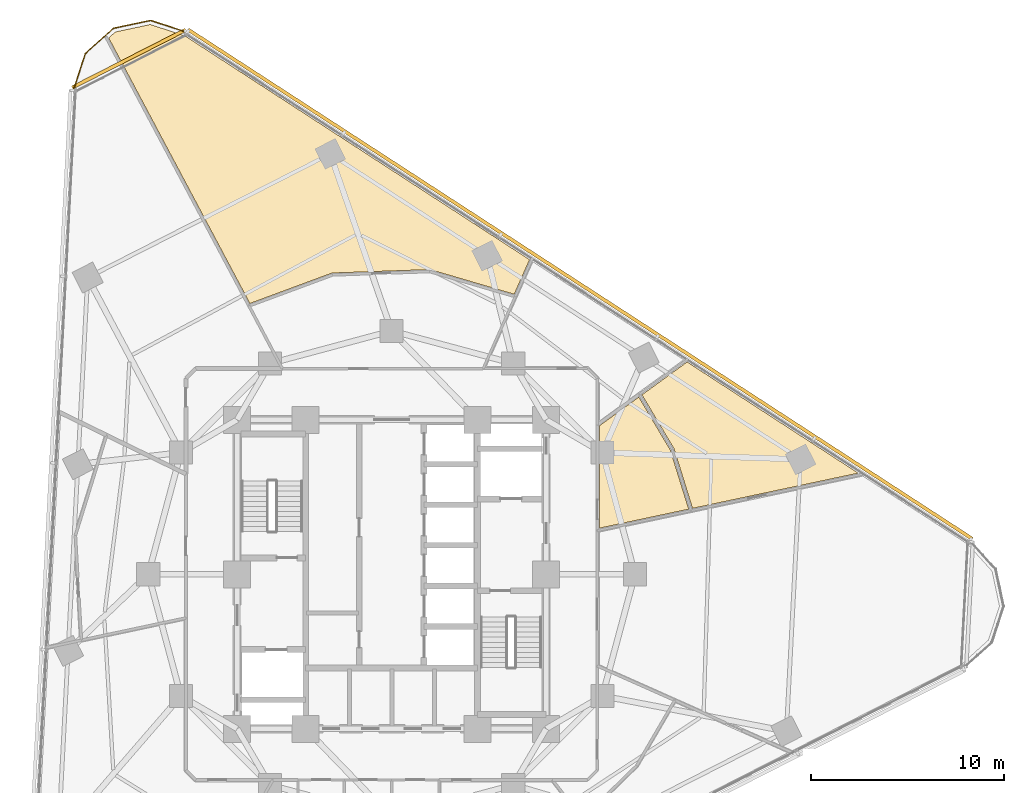
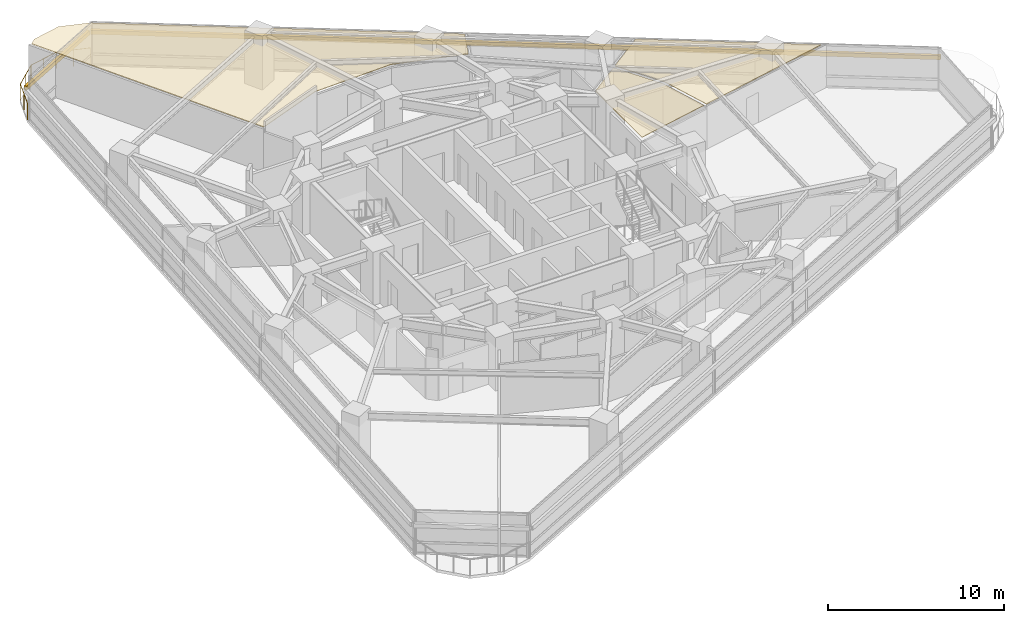
# One storey, part 14 of 14: 3 coverings, 2 shading devices, 1 railing.
"""IFC4 building model written with IfcOpenShell, lengths in metres."""

from ifc_helpers import new_model, si_unit, direction, frame, origin, origin_2d, place, context, subcontext, project, spatial, polyline, rectangle, circle, outline, extrude, material, layer, layer_set, type_object, element, save


model = new_model("IFC4")

# Units and contexts
model_context = context("Model", 3, precision=1e-05, world=origin(), true_north=direction((0.0, 1.0)))
body_context = subcontext(model_context, "Body", "Model", "MODEL_VIEW")
ifc_project = project(units=[si_unit("LENGTHUNIT", "METRE"), si_unit("AREAUNIT", "SQUARE_METRE"), si_unit("VOLUMEUNIT", "CUBIC_METRE"), si_unit("PLANEANGLEUNIT", "RADIAN"), si_unit("MASSUNIT", "GRAM", prefix="KILO")], contexts=[model_context])

# Site, building, storey
site_placement = place(None, origin())
site = spatial("IfcSite", under=ifc_project, at=site_placement, CompositionType="ELEMENT")
building_placement = place(site_placement, origin())
building = spatial("IfcBuilding", under=site, at=building_placement, Name="Terralouvre Media Tower", CompositionType="ELEMENT")
storey_placement = place(building_placement, frame((0.0, 0.0, 142.10009765625)))
storey = spatial("IfcBuildingStorey", under=building, at=storey_placement, Name="L36", CompositionType="ELEMENT", Elevation=142.10009765625)

# Coverings
ifc_material_1 = material(Name="Perforated aluminium acoustic ceiling baffle", Category="aluminium")
ifc_layer_1 = layer(ifc_material_1, 0.0400390625, Name="Perforated Acoustic Metal Tile Ceiling CL-AC1")
ifc_layer_set_1 = layer_set([ifc_layer_1], Name="Perforated aluminium acoustic ceiling baffle")
covering_type = type_object("IfcCoveringType", Name="Perforated Acoustic Metal Tile Ceiling CL-AC1", PredefinedType="CEILING", material=ifc_layer_set_1)
covering_1_placement = place(storey_placement, frame((0.0, 0.0, 2.97998046875), z_axis=(0.0, 0.0, 1.0), x_axis=(0.891006524188, 0.45399049974, 0.0)))
element("IfcCovering", 1, at=covering_1_placement, inside=storey, type_object=covering_type, Name="L36 Editorial Huddle Room 8 Acoustic Ceiling", PredefinedType="CEILING", context=body_context, shape_type="SweptSolid", body=[
    extrude(outline(polyline([(15.9775390625, -0.825439453125), (15.977783203125, -0.83740234375), (15.976318359375, -0.848876953125), (15.43017578125, -4.03076171875), (23.905517578125, -6.30224609375), (18.623046875, 2.848388671875), (15.766845703125, 2.395751953125), (15.9775390625, -0.825439453125)])), origin(), (0.0, 0.0, 1.0), 0.0400390625),
])
covering_2_placement = place(storey_placement, frame((0.0, 0.0, 2.97998046875), z_axis=(0.0, 0.0, 1.0), x_axis=(0.891006524188, 0.45399049974, 0.0)))
element("IfcCovering", 2, at=covering_2_placement, inside=storey, type_object=covering_type, Name="L36 Live Feed Master Control Room 9 Acoustic Ceiling", PredefinedType="CEILING", context=body_context, shape_type="SweptSolid", body=[
    extrude(outline(polyline([(15.77734375, -0.826904296875), (15.568359375, 2.364501953125), (13.068115234375, 1.96875), (10.662109375, -2.753173828125), (15.236328125, -3.978759765625), (15.77734375, -0.826904296875)])), origin(), (0.0, 0.0, 1.0), 0.0400390625),
])
covering_3_placement = place(storey_placement, frame((0.0, 0.0, 2.97998046875), z_axis=(0.0, 0.0, 1.0), x_axis=(0.891006524188, 0.45399049974, 0.0)))
element("IfcCovering", 3, at=covering_3_placement, inside=storey, type_object=covering_type, Name="L36 Anchor Green Lounge 12 Acoustic Ceiling", PredefinedType="CEILING", context=body_context, shape_type="SweptSolid", body=[
    extrude(outline(polyline([(4.322509765625, 15.300048828125), (4.3330078125, 15.298095703125), (4.34326171875, 15.29541015625), (4.35302734375, 15.291259765625), (8.91552734375, 13.1640625), (8.925048828125, 13.1591796875), (8.933837890625, 13.153076171875), (8.94189453125, 13.146240234375), (12.23681640625, 10.037353515625), (13.759765625, 11.271240234375), (3.11474609375, 29.708984375), (1.7861328125, 31.03759765625), (-0.000244140625, 31.515869140625), (-0.4482421875, 31.396484375), (-0.176025390625, 15.825927734375), (4.322509765625, 15.300048828125)])), origin(), (0.0, 0.0, 1.0), 0.0400390625),
])

# Railing
ifc_material_2 = material(Name="Stainless steel 316 handrail and balustrade", Category="steel")
ifc_layer_2 = layer(ifc_material_2, 0.06005859375, Name="Roof Edge Safety Guardrail GR-ROOF1")
ifc_layer_set_2 = layer_set([ifc_layer_2], Name="Stainless steel 316 handrail and balustrade")
railing_type = type_object("IfcRailingType", Name="Roof Edge Safety Guardrail GR-ROOF1", PredefinedType="GUARDRAIL", material=ifc_layer_set_2)
railing_placement = place(storey_placement, frame((-10.611328125, 28.071044921875, 0.0)))
element("IfcRailing", 4, at=railing_placement, inside=storey, type_object=railing_type, Name="L36 Wind-Corner Perimeter Safety Guardrail C2", PredefinedType="GUARDRAIL", context=body_context, shape_type="SweptSolid", body=[
    extrude(circle(Radius=0.02099609375, at=origin_2d()), frame((0.0, 0.0, 1.12890625), z_axis=(-0.950979313277, 0.309254499918, 0.0), x_axis=(-0.309254499918, -0.950979313277, 0.0)), (0.0, 0.0, 1.0), 1.966552734375),
    extrude(circle(Radius=0.02099609375, at=origin_2d()), frame((-1.8701171875, 0.608154296875, 1.12890625), z_axis=(-0.9781553792, -0.207875092647, 0.0), x_axis=(0.207875092647, -0.9781553792, 0.0)), (0.0, 0.0, 1.0), 1.966064453125),
    extrude(circle(Radius=0.02099609375, at=origin_2d()), frame((-3.793212890625, 0.199462890625, 1.12890625), z_axis=(-0.743084172505, -0.66919796217, 0.0), x_axis=(0.66919796217, -0.743084172505, 0.0)), (0.0, 0.0, 1.0), 1.966064453125),
    extrude(circle(Radius=0.02099609375, at=origin_2d()), frame((-5.254150390625, -1.1162109375, 1.12890625), z_axis=(-0.308768829513, -0.951137114154, 0.0), x_axis=(0.951137114154, -0.308768829513, 0.0)), (0.0, 0.0, 1.0), 1.966552734375),
    extrude(circle(Radius=0.01904296875, at=origin_2d()), origin(), (0.0, 0.0, 1.0), 1.10791015625),
    extrude(circle(Radius=0.01904296875, at=origin_2d()), frame((-0.93505859375, 0.30419921875, 0.0)), (0.0, 0.0, 1.0), 1.10791015625),
    extrude(circle(Radius=0.01904296875, at=origin_2d()), frame((-1.8701171875, 0.608154296875, 0.0)), (0.0, 0.0, 1.0), 1.10791015625),
    extrude(circle(Radius=0.01904296875, at=origin_2d()), frame((-2.83154296875, 0.40380859375, 0.0)), (0.0, 0.0, 1.0), 1.10791015625),
    extrude(circle(Radius=0.01904296875, at=origin_2d()), frame((-3.793212890625, 0.199462890625, 0.0)), (0.0, 0.0, 1.0), 1.10791015625),
    extrude(circle(Radius=0.01904296875, at=origin_2d()), frame((-4.523681640625, -0.45849609375, 0.0)), (0.0, 0.0, 1.0), 1.10791015625),
    extrude(circle(Radius=0.01904296875, at=origin_2d()), frame((-5.254150390625, -1.1162109375, 0.0)), (0.0, 0.0, 1.0), 1.10791015625),
    extrude(circle(Radius=0.01904296875, at=origin_2d()), frame((-5.5576171875, -2.05126953125, 0.0)), (0.0, 0.0, 1.0), 1.10791015625),
    extrude(circle(Radius=0.01904296875, at=origin_2d()), frame((-5.861328125, -2.986572265625, 0.0)), (0.0, 0.0, 1.0), 1.10791015625),
])

# Shading devices
ifc_material_3 = material(Name="Extruded terracotta baguette sunshade louvres", Category="masonry")
shading_device_type = type_object("IfcShadingDeviceType", Name="Terracotta Baguette Sunshade Louvre Screen TB-LV1", PredefinedType="USERDEFINED", material=ifc_material_3)
shading_device_1_placement = place(storey_placement, frame((9.755615234375, 15.022216796875, 2.02392578125), z_axis=(0.0, 0.0, 1.0), x_axis=(-0.838670588944, 0.544639002681, 0.0)))
element("IfcShadingDevice", 5, at=shading_device_1_placement, inside=storey, type_object=shading_device_type, Name="CW-L36-F1 Terracotta Baguette Sunshade Louvre", ObjectType="BAGUETTE", PredefinedType="USERDEFINED", context=body_context, shape_type="SweptSolid", body=[
    extrude(rectangle(XDim=48.39990234375, YDim=0.179931640625, at=origin_2d()), origin(), (0.0, 0.0, 1.0), 0.280029296875),
])
shading_device_2_placement = place(storey_placement, frame((-13.603271484375, 26.697998046875, 2.02392578125), z_axis=(0.0, 0.0, 1.0), x_axis=(-0.891006600184, -0.45399035059, 0.0)))
element("IfcShadingDevice", 6, at=shading_device_2_placement, inside=storey, type_object=shading_device_type, Name="CW-L36-C2 Terracotta Baguette Sunshade Louvre", ObjectType="BAGUETTE", PredefinedType="USERDEFINED", context=body_context, shape_type="SweptSolid", body=[
    extrude(rectangle(XDim=6.581787109375, YDim=0.179931640625, at=origin_2d()), origin(), (0.0, 0.0, 1.0), 0.280029296875),
])

save(model, "model.ifc")
